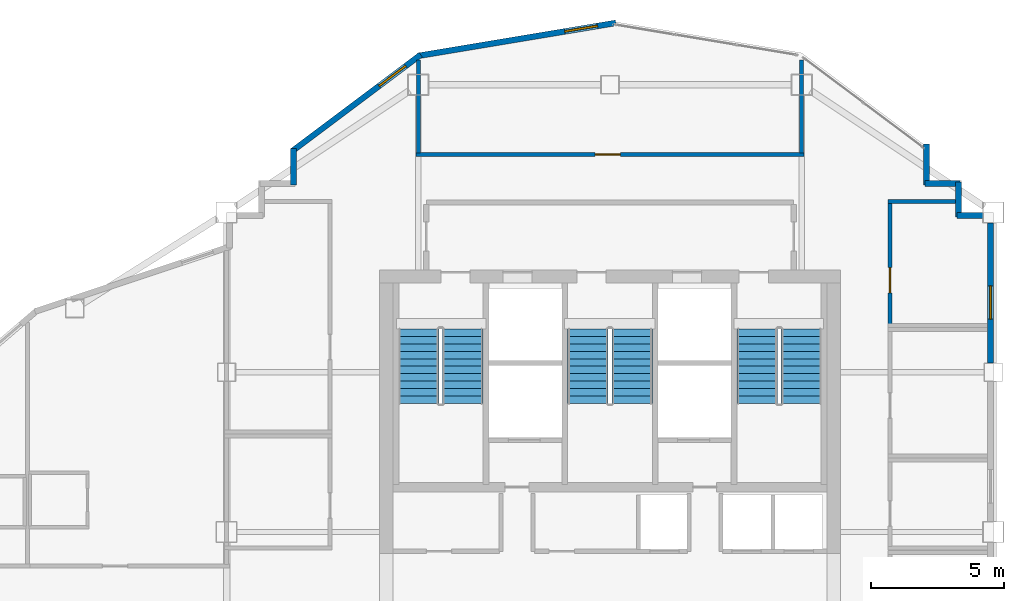
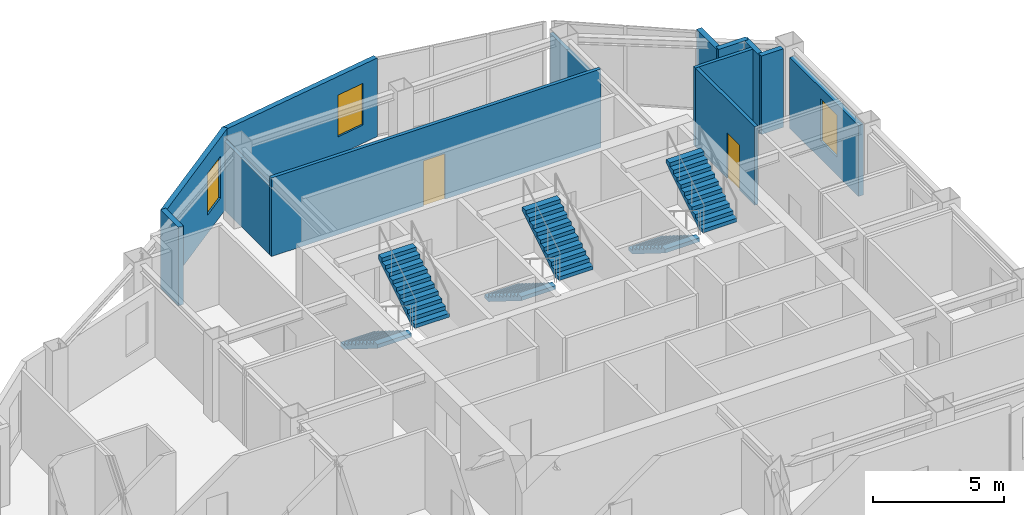
# One storey, part 8 of 9: 13 walls, 6 stair flights, 3 windows, 2 doors, 5 openings, 3 elements without a shape of their own.
"""IFC4 building model written with IfcOpenShell, lengths in metres."""

import ifcopenshell
import ifcopenshell.guid

model = None  # the IFC model being written
_history = None  # IfcOwnerHistory: only IFC2X3 demands one
_inside = {}  # id of a spatial element -> (the spatial element, [elements in it])
_under = {}  # id of a project, library or spatial element -> (it, [spatial elements below it])
_declared = {}  # id of a project -> (the project, [libraries it declares])
_typed = {}  # id of a type object -> (the type object, [elements of that type])
_made_of = {}  # id of a material, layer set ... -> (it, [elements and type objects made of it])


def new_model(schema):
    """Start an empty IFC model of exactly this schema.

    Asked for "IFC4X3", IfcOpenShell would pick the latest addendum, in which some entities
    have other attributes; the version numbers below select the first issue.
    IFC2X3 requires an IfcOwnerHistory on every rooted entity: one is made here for all.
    """
    global model, _history
    if schema == "IFC4X3":
        model = ifcopenshell.file(schema_version=(4, 3, 0, 0))
    else:
        model = ifcopenshell.file(schema=schema)
    _inside.clear()
    _under.clear()
    _declared.clear()
    _typed.clear()
    _made_of.clear()
    _history = None
    if model.schema == "IFC2X3":
        org = make("IfcOrganization", Name="unknown")
        user = make(
            "IfcPersonAndOrganization",
            ThePerson=make("IfcPerson", FamilyName="unknown"),
            TheOrganization=org,
        )
        app = make(
            "IfcApplication",
            ApplicationDeveloper=org,
            Version="unknown",
            ApplicationFullName="unknown",
            ApplicationIdentifier="unknown",
        )
        _history = make(
            "IfcOwnerHistory",
            OwningUser=user,
            OwningApplication=app,
            ChangeAction="ADDED",
            CreationDate=0,
        )
    return model


def make(cls, **values):
    """One entity of the class cls with the attributes given. An attribute that is None is left unset."""
    return model.create_entity(
        cls, **{name: value for name, value in values.items() if value is not None}
    )


def rooted(cls, **values):
    """An entity with a GlobalId (a new one), such as an element, a storey or a relation."""
    return make(cls, GlobalId=ifcopenshell.guid.new(), OwnerHistory=_history, **values)


def si_unit(unit_type, name, prefix=None):
    """IfcSIUnit, for example si_unit("LENGTHUNIT", "METRE", prefix="MILLI")."""
    return make("IfcSIUnit", UnitType=unit_type, Prefix=prefix, Name=name)


def assignment(units):
    """IfcUnitAssignment: the units of a project."""
    return None if units is None else make("IfcUnitAssignment", Units=units)


def point(xyz):
    """IfcCartesianPoint."""
    return None if xyz is None else make("IfcCartesianPoint", Coordinates=xyz)


def direction(xyz):
    """IfcDirection."""
    return None if xyz is None else make("IfcDirection", DirectionRatios=xyz)


def frame(location, z_axis=None, x_axis=None):
    """IfcAxis2Placement3D, a coordinate frame: its origin and axes. An axis left out is left unset."""
    return make(
        "IfcAxis2Placement3D",
        Location=point(location),
        Axis=direction(z_axis),
        RefDirection=direction(x_axis),
    )


def frame_2d(location, x_axis=None):
    """IfcAxis2Placement2D, a coordinate frame in the plane: its origin and x axis."""
    return make(
        "IfcAxis2Placement2D", Location=point(location), RefDirection=direction(x_axis)
    )


def origin():
    """The frame at (0, 0, 0) with its axes left unset."""
    return frame((0.0, 0.0, 0.0))


def place(relative_to, where):
    """IfcLocalPlacement: puts the frame where relative to a parent placement (None: the world)."""
    return make(
        "IfcLocalPlacement", PlacementRelTo=relative_to, RelativePlacement=where
    )


def context(
    kind, dimensions, precision=None, world=None, true_north=None, identifier=None
):
    """IfcGeometricRepresentationContext, for example the 3D "Model" context."""
    return make(
        "IfcGeometricRepresentationContext",
        ContextIdentifier=identifier,
        ContextType=kind,
        CoordinateSpaceDimension=dimensions,
        Precision=precision,
        WorldCoordinateSystem=world,
        TrueNorth=true_north,
    )


def subcontext(parent, identifier, kind, view, scale=None):
    """IfcGeometricRepresentationSubContext, for example "Body" below "Model"."""
    return make(
        "IfcGeometricRepresentationSubContext",
        ContextIdentifier=identifier,
        ContextType=kind,
        ParentContext=parent,
        TargetScale=scale,
        TargetView=view,
    )


def project(units=None, contexts=None):
    """IfcProject with its units and contexts."""
    return rooted(
        "IfcProject",
        Name="project",
        RepresentationContexts=contexts,
        UnitsInContext=assignment(units),
    )


def spatial(cls, under=None, at=None, **own):
    """A site, building, storey or space (cls), placed at a placement, below another one or the project."""
    s = rooted(cls, ObjectPlacement=at, **own)
    if under is not None:
        _under.setdefault(under.id(), (under, []))[1].append(s)
    return s


def polyline(points):
    """IfcPolyline through the points."""
    return make("IfcPolyline", Points=[point(p) for p in points])


def profile(cls, at=None, kind="AREA", **sizes):
    """A parametric profile (cls). Its sizes go by their IFC names, for example OverallWidth=200.0."""
    return make(cls, ProfileType=kind, Position=at, **sizes)


def rectangle(**sizes):
    """IfcRectangleProfileDef."""
    return profile("IfcRectangleProfileDef", **sizes)


def outline(outer, holes=None, kind="AREA"):
    """IfcArbitraryClosedProfileDef: a profile drawn as a closed curve; with holes, ...WithVoids."""
    if holes is None:
        return make("IfcArbitraryClosedProfileDef", ProfileType=kind, OuterCurve=outer)
    return make(
        "IfcArbitraryProfileDefWithVoids",
        ProfileType=kind,
        OuterCurve=outer,
        InnerCurves=holes,
    )


def extrude(swept, where, along, depth):
    """IfcExtrudedAreaSolid: the profile swept, set in the frame where, extruded along a direction by depth."""
    return make(
        "IfcExtrudedAreaSolid",
        SweptArea=swept,
        Position=where,
        ExtrudedDirection=direction(along),
        Depth=depth,
    )


def shape(context_of_items, identifier, shape_type, items):
    """IfcShapeRepresentation: the items that make up one representation, for example the "Body"."""
    return make(
        "IfcShapeRepresentation",
        ContextOfItems=context_of_items,
        RepresentationIdentifier=identifier,
        RepresentationType=shape_type,
        Items=items,
    )


def material(Name=None, Category=None):
    """IfcMaterial."""
    return make("IfcMaterial", Name=Name, Category=Category)


def layer(
    of_material, thickness, ventilated=None, Name=None, Category=None, Priority=None
):
    """IfcMaterialLayer: one layer of a wall or slab, of a material (None: an air gap)."""
    return make(
        "IfcMaterialLayer",
        Material=of_material,
        LayerThickness=thickness,
        IsVentilated=ventilated,
        Name=Name,
        Category=Category,
        Priority=Priority,
    )


def layer_set(layers, Name=None):
    """IfcMaterialLayerSet."""
    return make("IfcMaterialLayerSet", MaterialLayers=layers, LayerSetName=Name)


def made_of(thing, what):
    """Note that an element or type object is made of a material, layer set ...; save() writes the relation."""
    if what is not None:
        _made_of.setdefault(what.id(), (what, []))[1].append(thing)
    return thing


def type_object(cls, material=None, **own):
    """A type object (cls), such as IfcWallType, which elements share."""
    return made_of(rooted(cls, **own), material)


def element(
    cls,
    number,
    at=None,
    inside=None,
    cuts=None,
    type_object=None,
    material=None,
    context=None,
    identifier="Body",
    shape_type=None,
    held_by="IfcProductDefinitionShape",
    body=None,
    shapes=None,
    **own,
):
    """One element of the class cls, such as IfcWall. Its Tag is "e" and its number.

    at: its placement. inside: the storey or other place that contains it. cuts: it is an
    opening in that element (IfcRelVoidsElement). A single representation is given by context,
    identifier, shape_type and body (its items); several are given by shapes. held_by: the class
    of the entity that holds the representations. save() writes the other relations.
    """
    e = rooted(cls, Tag="e%d" % number, ObjectPlacement=at, **own)
    if body is not None:
        shapes = [shape(context, identifier, shape_type, body)]
    if shapes is not None:
        e.Representation = make(held_by, Representations=shapes)
    if inside is not None:
        _inside.setdefault(inside.id(), (inside, []))[1].append(e)
    if cuts is not None:
        rooted(
            "IfcRelVoidsElement", RelatingBuildingElement=cuts, RelatedOpeningElement=e
        )
    if type_object is not None:
        _typed.setdefault(type_object.id(), (type_object, []))[1].append(e)
    return made_of(e, material)


def fill(opening, filler):
    """IfcRelFillsElement: the door or window that sits in an opening."""
    return rooted(
        "IfcRelFillsElement",
        RelatingOpeningElement=opening,
        RelatedBuildingElement=filler,
    )


def aggregate(whole, parts):
    """IfcRelAggregates: a whole, such as a stair, and the parts it consists of."""
    return rooted("IfcRelAggregates", RelatingObject=whole, RelatedObjects=parts)


def save(model, path):
    """Write the relations noted so far, then the file.

    IfcRelAggregates (storeys below a building ...), IfcRelContainedInSpatialStructure (elements
    in a storey), IfcRelDefinesByType, IfcRelAssociatesMaterial and IfcRelDeclares: one each for
    every whole, place, type object, material and project.
    """
    for whole, parts in _under.values():
        aggregate(whole, parts)
    for where, things in _inside.values():
        rooted(
            "IfcRelContainedInSpatialStructure",
            RelatedElements=things,
            RelatingStructure=where,
        )
    for kind, things in _typed.values():
        rooted("IfcRelDefinesByType", RelatedObjects=things, RelatingType=kind)
    for what, things in _made_of.values():
        rooted("IfcRelAssociatesMaterial", RelatedObjects=things, RelatingMaterial=what)
    for by, libraries in _declared.values():
        rooted("IfcRelDeclares", RelatingContext=by, RelatedDefinitions=libraries)
    model.write(path)


model = new_model("IFC4")

# Units and contexts
model_context = context("Model", 3, precision=1e-05, world=origin(), true_north=direction((0.0, 1.0)))
body_context = subcontext(model_context, "Body", "Model", "MODEL_VIEW")
ifc_project = project(units=[si_unit("LENGTHUNIT", "METRE"), si_unit("AREAUNIT", "SQUARE_METRE"), si_unit("VOLUMEUNIT", "CUBIC_METRE"), si_unit("PLANEANGLEUNIT", "RADIAN"), si_unit("MASSUNIT", "GRAM", prefix="KILO")], contexts=[model_context])

# Site, building, storey
site_placement = place(None, origin())
site = spatial("IfcSite", under=ifc_project, at=site_placement, CompositionType="ELEMENT")
building_placement = place(site_placement, origin())
building = spatial("IfcBuilding", under=site, at=building_placement, Name="Haolan Belvedere Tower", CompositionType="ELEMENT")
storey_placement = place(building_placement, frame((0.0, 0.0, 262.14990234375)))
storey = spatial("IfcBuildingStorey", under=building, at=storey_placement, Name="L66", CompositionType="ELEMENT", Elevation=262.14990234375)

# Wall, opening, window
ifc_material_1 = material(Name="Precast concrete C40/50", Category="concrete")
ifc_layer_1 = layer(ifc_material_1, 0.219970703125, Name="Precast concrete C40/50")
ifc_layer_set_1 = layer_set([ifc_layer_1], Name="Precast concrete C40/50")
wall_type_1 = type_object("IfcWallType", Name="WL-EXT-220", PredefinedType="SOLIDWALL", material=ifc_layer_set_1)
wall_1_placement = place(storey_placement, frame((52.68994140625, 39.94189453125, 0.0), z_axis=(0.0, 0.0, 1.0), x_axis=(0.0, 1.0, 0.0)))
wall_1 = element("IfcWall", 1, at=wall_1_placement, inside=storey, type_object=wall_type_1, Name="L66 pale-metal exterior spandrel wall 3.4", PredefinedType="SOLIDWALL", context=body_context, shape_type="SweptSolid", body=[
    extrude(rectangle(XDim=5.26611328125, YDim=0.219970703125, at=frame_2d((2.633056640625, 0.0))), origin(), (0.0, 0.0, 1.0), 3.315185546875),
])
opening_1_placement = place(wall_1_placement, frame((1.653076171875, 0.0, 0.85009765625)))
opening_1 = element("IfcOpeningElement", 2, at=opening_1_placement, cuts=wall_1, Name="Opening W-04", PredefinedType="OPENING", context=body_context, shape_type="SweptSolid", body=[
    extrude(rectangle(XDim=1.25, YDim=1.949951171875, at=frame_2d((0.625, 0.97509765625))), frame((0.0, 0.119873046875, 0.0), z_axis=(0.0, -1.0, 0.0), x_axis=(1.0, 0.0, 0.0)), (0.0, 0.0, 1.0), 0.239990234375),
])
ifc_material_2 = material(Name="Anodised aluminium 6063-T6 and Low-E glass", Category="aluminium")
window_type = type_object("IfcWindowType", Name="WN-DECO-Z4", PartitioningType="SINGLE_PANEL", PredefinedType="WINDOW", material=ifc_material_2)
window_1_placement = place(opening_1_placement, origin())
window_1 = element("IfcWindow", 3, at=window_1_placement, inside=storey, type_object=window_type, Name="L66 Art Deco chevron window 1", OverallHeight=1.949951171875, OverallWidth=1.25, PartitioningType="SINGLE_PANEL", PredefinedType="WINDOW", context=body_context, shape_type="SweptSolid", body=[
    extrude(rectangle(XDim=1.25, YDim=1.949951171875, at=frame_2d((0.625, 0.97509765625))), frame((0.0, 0.030029296875, 0.0), z_axis=(0.0, -1.0, 0.0), x_axis=(1.0, 0.0, 0.0)), (0.0, 0.0, 1.0), 0.06005859375),
])
fill(opening_1, window_1)

# Walls
wall_2_placement = place(storey_placement, frame((52.407958984375, 45.489990234375, 0.0), z_axis=(0.0, 0.0, 1.0), x_axis=(-1.0, 0.0, 0.0)))
element("IfcWall", 4, at=wall_2_placement, inside=storey, type_object=wall_type_1, Name="L66 pale-metal exterior spandrel wall 4.1", PredefinedType="SOLIDWALL", context=body_context, shape_type="SweptSolid", body=[
    extrude(rectangle(XDim=0.972900390625, YDim=0.219970703125, at=frame_2d((0.486328125, 0.0))), origin(), (0.0, 0.0, 1.0), 3.670166015625),
])
wall_3_placement = place(storey_placement, frame((51.489990234375, 45.43505859375, 0.0), z_axis=(0.0, 0.0, 1.0), x_axis=(0.0, 1.0, 0.0)))
element("IfcWall", 5, at=wall_3_placement, inside=storey, type_object=wall_type_1, Name="L66 pale-metal exterior spandrel wall 5.1", PredefinedType="SOLIDWALL", context=body_context, shape_type="SweptSolid", body=[
    extrude(rectangle(XDim=1.31005859375, YDim=0.219970703125, at=frame_2d((0.655029296875, 0.0))), origin(), (0.0, 0.0, 1.0), 3.670166015625),
])
wall_4_placement = place(storey_placement, frame((51.544921875, 46.68994140625, 0.0), z_axis=(0.0, 0.0, 1.0), x_axis=(-1.0, 0.0, 0.0)))
element("IfcWall", 6, at=wall_4_placement, inside=storey, type_object=wall_type_1, Name="L66 pale-metal exterior spandrel wall 6.1", PredefinedType="SOLIDWALL", context=body_context, shape_type="SweptSolid", body=[
    extrude(rectangle(XDim=1.309814453125, YDim=0.219970703125, at=frame_2d((0.65478515625, 0.0))), origin(), (0.0, 0.0, 1.0), 3.670166015625),
])
wall_5_placement = place(storey_placement, frame((50.2900390625, 46.635009765625, 0.0), z_axis=(0.0, 0.0, 1.0), x_axis=(0.0, 1.0, 0.0)))
element("IfcWall", 7, at=wall_5_placement, inside=storey, type_object=wall_type_1, Name="L66 pale-metal exterior spandrel wall 7.1", PredefinedType="SOLIDWALL", context=body_context, shape_type="SweptSolid", body=[
    extrude(rectangle(XDim=1.534912109375, YDim=0.219970703125, at=frame_2d((0.767578125, 0.0))), origin(), (0.0, 0.0, 1.0), 3.670166015625),
])

# Wall, opening, window
wall_6_placement = place(storey_placement, frame((38.621826171875, 52.7255859375, 0.0), z_axis=(0.0, 0.0, 1.0), x_axis=(-0.986390420428, -0.164420006349, 0.0)))
wall_6 = element("IfcWall", 8, at=wall_6_placement, inside=storey, type_object=wall_type_1, Name="L66 pale-metal exterior spandrel wall 10.1", PredefinedType="SOLIDWALL", context=body_context, shape_type="SweptSolid", body=[
    extrude(rectangle(XDim=7.5341796875, YDim=0.219970703125, at=frame_2d((3.76708984375, 0.0))), origin(), (0.0, 0.0, 1.0), 3.670166015625),
])
opening_2_placement = place(wall_6_placement, frame((0.699951171875, 0.0, 0.85009765625)))
opening_2 = element("IfcOpeningElement", 9, at=opening_2_placement, cuts=wall_6, Name="Opening W-04", PredefinedType="OPENING", context=body_context, shape_type="SweptSolid", body=[
    extrude(rectangle(XDim=1.25, YDim=1.949951171875, at=frame_2d((0.625, 0.97509765625))), frame((0.0, 0.119873046875, 0.0), z_axis=(0.0, -1.0, 0.0), x_axis=(1.0, 0.0, 0.0)), (0.0, 0.0, 1.0), 0.239990234375),
])
window_2_placement = place(opening_2_placement, origin())
window_2 = element("IfcWindow", 10, at=window_2_placement, inside=storey, type_object=window_type, Name="L66 Art Deco chevron window 1", OverallHeight=1.949951171875, OverallWidth=1.25, PartitioningType="SINGLE_PANEL", PredefinedType="WINDOW", context=body_context, shape_type="SweptSolid", body=[
    extrude(rectangle(XDim=1.25, YDim=1.949951171875, at=frame_2d((0.625, 0.97509765625))), frame((0.0, 0.030029296875, 0.0), z_axis=(0.0, -1.0, 0.0), x_axis=(1.0, 0.0, 0.0)), (0.0, 0.0, 1.0), 0.06005859375),
])
fill(opening_2, window_2)

wall_7_placement = place(storey_placement, frame((31.28857421875, 51.52880859375, 0.0), z_axis=(0.0, 0.0, 1.0), x_axis=(-0.800014580093, -0.599980559383, 0.0)))
wall_7 = element("IfcWall", 11, at=wall_7_placement, inside=storey, type_object=wall_type_1, Name="L66 pale-metal exterior spandrel wall 11.1", PredefinedType="SOLIDWALL", context=body_context, shape_type="SweptSolid", body=[
    extrude(rectangle(XDim=6.028076171875, YDim=0.219970703125, at=frame_2d((3.01416015625, 0.0))), origin(), (0.0, 0.0, 1.0), 3.670166015625),
])
opening_3_placement = place(wall_7_placement, frame((0.699951171875, 0.0, 0.85009765625)))
opening_3 = element("IfcOpeningElement", 12, at=opening_3_placement, cuts=wall_7, Name="Opening W-04", PredefinedType="OPENING", context=body_context, shape_type="SweptSolid", body=[
    extrude(rectangle(XDim=1.25, YDim=1.949951171875, at=frame_2d((0.625, 0.97509765625))), frame((0.0, 0.119873046875, 0.0), z_axis=(0.0, -1.0, 0.0), x_axis=(1.0, 0.0, 0.0)), (0.0, 0.0, 1.0), 0.239990234375),
])
window_3_placement = place(opening_3_placement, origin())
window_3 = element("IfcWindow", 13, at=window_3_placement, inside=storey, type_object=window_type, Name="L66 Art Deco chevron window 1", OverallHeight=1.949951171875, OverallWidth=1.25, PartitioningType="SINGLE_PANEL", PredefinedType="WINDOW", context=body_context, shape_type="SweptSolid", body=[
    extrude(rectangle(XDim=1.25, YDim=1.949951171875, at=frame_2d((0.625, 0.97509765625))), frame((0.0, 0.030029296875, 0.0), z_axis=(0.0, -1.0, 0.0), x_axis=(1.0, 0.0, 0.0)), (0.0, 0.0, 1.0), 0.06005859375),
])
fill(opening_3, window_3)

# Walls
wall_8_placement = place(storey_placement, frame((26.510009765625, 48.0, 0.0), z_axis=(0.0, 0.0, 1.0), x_axis=(0.0, -1.0, 0.0)))
element("IfcWall", 14, at=wall_8_placement, inside=storey, type_object=wall_type_1, Name="L66 pale-metal exterior spandrel wall 12.1", PredefinedType="SOLIDWALL", context=body_context, shape_type="SweptSolid", body=[
    extrude(rectangle(XDim=1.364990234375, YDim=0.219970703125, at=frame_2d((0.6826171875, 0.0))), origin(), (0.0, 0.0, 1.0), 3.670166015625),
])
ifc_material_3 = material(Name="Double gypsum acoustic stud partition", Category="masonry")
ifc_layer_2 = layer(ifc_material_3, 0.14990234375, Name="Double gypsum acoustic stud partition")
ifc_layer_set_2 = layer_set([ifc_layer_2], Name="Double gypsum acoustic stud partition")
wall_type_2 = type_object("IfcWallType", Name="WL-PART-150", PredefinedType="PARTITIONING", material=ifc_layer_set_2)
wall_9_placement = place(storey_placement, frame((48.840087890625, 46.02001953125, 0.0), z_axis=(0.0, 0.0, 1.0), x_axis=(1.0, 0.0, 0.0)))
element("IfcWall", 15, at=wall_9_placement, inside=storey, type_object=wall_type_2, Name="L66 interior partition IW-L66-PNT-N", PredefinedType="PARTITIONING", context=body_context, shape_type="SweptSolid", body=[
    extrude(rectangle(XDim=2.5478515625, YDim=0.14990234375, at=frame_2d((1.27392578125, 0.0))), origin(), (0.0, 0.0, 1.0), 3.670166015625),
])

# Wall, opening, door
wall_10_placement = place(storey_placement, frame((48.919921875, 41.419921875, 0.0), z_axis=(0.0, 0.0, 1.0), x_axis=(0.0, 1.0, 0.0)))
wall_10 = element("IfcWall", 16, at=wall_10_placement, inside=storey, type_object=wall_type_2, Name="L66 interior partition IW-L66-PNT-W", PredefinedType="PARTITIONING", context=body_context, shape_type="SweptSolid", body=[
    extrude(rectangle(XDim=4.5400390625, YDim=0.14990234375, at=frame_2d((2.27001953125, 0.0))), origin(), (0.0, 0.0, 1.0), 3.670166015625),
])
opening_4_placement = place(wall_10_placement, frame((1.159912109375, 0.0, 0.0)))
opening_4 = element("IfcOpeningElement", 17, at=opening_4_placement, cuts=wall_10, Name="Opening ID-03", PredefinedType="OPENING", context=body_context, shape_type="SweptSolid", body=[
    extrude(rectangle(XDim=0.949951171875, YDim=2.1201171875, at=frame_2d((0.47509765625, 1.06005859375))), frame((0.0, 0.0849609375, 0.0), z_axis=(0.0, -1.0, 0.0), x_axis=(1.0, 0.0, 0.0)), (0.0, 0.0, 1.0), 0.169921875),
])
ifc_material_4 = material(Name="Painted solid-core timber", Category="wood")
door_type = type_object("IfcDoorType", Name="DR-INT-950", OperationType="NOTDEFINED", PredefinedType="DOOR", material=ifc_material_4)
door_1_placement = place(opening_4_placement, origin())
door_1 = element("IfcDoor", 18, at=door_1_placement, inside=storey, type_object=door_type, Name="L66 door ID-L66-PNT", OperationType="SINGLE_SWING_LEFT", OverallHeight=2.1201171875, OverallWidth=0.949951171875, PredefinedType="DOOR", context=body_context, shape_type="SweptSolid", body=[
    extrude(rectangle(XDim=0.949951171875, YDim=2.1201171875, at=frame_2d((0.47509765625, 1.06005859375))), frame((0.0, 0.02490234375, 0.0), z_axis=(0.0, -1.0, 0.0), x_axis=(1.0, 0.0, 0.0)), (0.0, 0.0, 1.0), 0.050048828125),
])
fill(opening_4, door_1)

wall_11_placement = place(storey_placement, frame((31.1201171875, 47.780029296875, 0.0), z_axis=(0.0, 0.0, 1.0), x_axis=(1.0, 0.0, 0.0)))
wall_11 = element("IfcWall", 19, at=wall_11_placement, inside=storey, type_object=wall_type_2, Name="L66 interior partition IW-L66-KN2-S", PredefinedType="PARTITIONING", context=body_context, shape_type="SweptSolid", body=[
    extrude(rectangle(XDim=14.559814453125, YDim=0.14990234375, at=frame_2d((7.27978515625, 0.0))), origin(), (0.0, 0.0, 1.0), 3.670166015625),
])
opening_5_placement = place(wall_11_placement, frame((6.72509765625, 0.0, 0.0)))
opening_5 = element("IfcOpeningElement", 20, at=opening_5_placement, cuts=wall_11, Name="Opening ID-03", PredefinedType="OPENING", context=body_context, shape_type="SweptSolid", body=[
    extrude(rectangle(XDim=0.949951171875, YDim=2.1201171875, at=frame_2d((0.47509765625, 1.06005859375))), frame((0.0, 0.0849609375, 0.0), z_axis=(0.0, -1.0, 0.0), x_axis=(1.0, 0.0, 0.0)), (0.0, 0.0, 1.0), 0.169921875),
])
door_2_placement = place(opening_5_placement, origin())
door_2 = element("IfcDoor", 21, at=door_2_placement, inside=storey, type_object=door_type, Name="L66 door ID-L66-KN2", OperationType="SINGLE_SWING_RIGHT", OverallHeight=2.1201171875, OverallWidth=0.949951171875, PredefinedType="DOOR", context=body_context, shape_type="SweptSolid", body=[
    extrude(rectangle(XDim=0.949951171875, YDim=2.1201171875, at=frame_2d((0.47509765625, 1.06005859375))), frame((0.0, 0.02490234375, 0.0), z_axis=(0.0, -1.0, 0.0), x_axis=(1.0, 0.0, 0.0)), (0.0, 0.0, 1.0), 0.050048828125),
])
fill(opening_5, door_2)

# Walls
for number, where, z_axis, x_axis, name in (
    (22, (31.199951171875, 47.840087890625, 0.0), (0.0, 0.0, 1.0), (0.0, 1.0, 0.0), "L66 interior partition IW-L66-KN2-W"),
    (23, (45.60009765625, 47.840087890625, 0.0), (0.0, 0.0, 1.0), (0.0, 1.0, 0.0), "L66 interior partition IW-L66-KN2-E"),
):
    element("IfcWall", number, at=place(storey_placement, frame(where, z_axis=z_axis, x_axis=x_axis)), inside=storey, type_object=wall_type_2, Name=name, PredefinedType="PARTITIONING", context=body_context, shape_type="SweptSolid", body=[
        extrude(rectangle(XDim=3.494873046875, YDim=0.14990234375, at=frame_2d((1.74755859375, 0.0))), origin(), (0.0, 0.0, 1.0), 3.205078125),
    ])

# Stair, stair flights
ifc_material_5 = material(Name="Concrete C40/50", Category="concrete")
stair_type = type_object("IfcStairType", Name="STR-DL-22R-175", PredefinedType="HALF_TURN_STAIR", material=ifc_material_5)
stair_1_placement = place(storey_placement, origin())
stair_1 = element("IfcStair", 24, at=stair_1_placement, inside=storey, type_object=stair_type, Name="L66 Smokeproof Core Exit Stair ST1", PredefinedType="HALF_TURN_STAIR")
stair_flight_type = type_object("IfcStairFlightType", Name="SFL-DL-11R-175", PredefinedType="STRAIGHT", material=ifc_material_5)
stair_flight_1_placement = place(storey_placement, frame((31.2099609375, 41.22998046875, 0.0), z_axis=(0.0, 0.0, 1.0), x_axis=(0.0, -1.0, 0.0)))
stair_flight_1 = element("IfcStairFlight", 25, at=stair_flight_1_placement, type_object=stair_flight_type, Name="ST1 flight 1", NumberOfRisers=11, NumberOfTreads=10, PredefinedType="STRAIGHT", RiserHeight=0.175, TreadLength=0.28, context=body_context, shape_type="SweptSolid", body=[
    extrude(outline(polyline([(0.0, 0.0), (0.0, 0.175048828125), (0.280029296875, 0.175048828125), (0.280029296875, 0.35009765625), (0.56005859375, 0.35009765625), (0.56005859375, 0.52490234375), (0.840087890625, 0.52490234375), (0.840087890625, 0.699951171875), (1.1201171875, 0.699951171875), (1.1201171875, 0.875), (1.39990234375, 0.875), (1.39990234375, 1.050048828125), (1.679931640625, 1.050048828125), (1.679931640625, 1.22509765625), (1.9599609375, 1.22509765625), (1.9599609375, 1.39990234375), (2.239990234375, 1.39990234375), (2.239990234375, 1.574951171875), (2.52001953125, 1.574951171875), (2.52001953125, 1.75), (2.800048828125, 1.75), (2.800048828125, 1.925048828125), (2.800048828125, 1.5732421875), (0.28271484375, 0.0), (0.0, 0.0)])), frame((0.0, 0.760009765625, 0.0), z_axis=(0.0, -1.0, 0.0), x_axis=(1.0, 0.0, 0.0)), (0.0, 0.0, 1.0), 1.52001953125),
])
stair_flight_2_placement = place(storey_placement, frame((32.8701171875, 38.429931640625, 1.925048828125), z_axis=(0.0, 0.0, 1.0), x_axis=(0.0, 1.0, 0.0)))
stair_flight_2 = element("IfcStairFlight", 26, at=stair_flight_2_placement, type_object=stair_flight_type, Name="ST1 flight 2", NumberOfRisers=11, NumberOfTreads=10, PredefinedType="STRAIGHT", RiserHeight=0.175, TreadLength=0.28, context=body_context, shape_type="SweptSolid", body=[
    extrude(outline(polyline([(0.0, 0.0), (0.0, 0.175048828125), (0.280029296875, 0.175048828125), (0.280029296875, 0.35009765625), (0.56005859375, 0.35009765625), (0.56005859375, 0.52490234375), (0.840087890625, 0.52490234375), (0.840087890625, 0.699951171875), (1.1201171875, 0.699951171875), (1.1201171875, 0.875), (1.39990234375, 0.875), (1.39990234375, 1.050048828125), (1.679931640625, 1.050048828125), (1.679931640625, 1.22509765625), (1.9599609375, 1.22509765625), (1.9599609375, 1.39990234375), (2.239990234375, 1.39990234375), (2.239990234375, 1.574951171875), (2.52001953125, 1.574951171875), (2.52001953125, 1.75), (2.800048828125, 1.75), (2.800048828125, 1.925048828125), (2.800048828125, 1.5732421875), (0.28271484375, 0.0), (0.0, 0.0)])), frame((0.0, 0.760009765625, 0.0), z_axis=(0.0, -1.0, 0.0), x_axis=(1.0, 0.0, 0.0)), (0.0, 0.0, 1.0), 1.52001953125),
])
aggregate(stair_1, [stair_flight_1, stair_flight_2])

stair_2_placement = place(storey_placement, origin())
stair_2 = element("IfcStair", 27, at=stair_2_placement, inside=storey, type_object=stair_type, Name="L66 Smokeproof Core Exit Stair ST3", PredefinedType="HALF_TURN_STAIR")
stair_flight_3_placement = place(storey_placement, frame((37.570068359375, 41.22998046875, 0.0), z_axis=(0.0, 0.0, 1.0), x_axis=(0.0, -1.0, 0.0)))
stair_flight_3 = element("IfcStairFlight", 28, at=stair_flight_3_placement, type_object=stair_flight_type, Name="ST3 flight 1", NumberOfRisers=11, NumberOfTreads=10, PredefinedType="STRAIGHT", RiserHeight=0.175, TreadLength=0.28, context=body_context, shape_type="SweptSolid", body=[
    extrude(outline(polyline([(0.0, 0.0), (0.0, 0.175048828125), (0.280029296875, 0.175048828125), (0.280029296875, 0.35009765625), (0.56005859375, 0.35009765625), (0.56005859375, 0.52490234375), (0.840087890625, 0.52490234375), (0.840087890625, 0.699951171875), (1.1201171875, 0.699951171875), (1.1201171875, 0.875), (1.39990234375, 0.875), (1.39990234375, 1.050048828125), (1.679931640625, 1.050048828125), (1.679931640625, 1.22509765625), (1.9599609375, 1.22509765625), (1.9599609375, 1.39990234375), (2.239990234375, 1.39990234375), (2.239990234375, 1.574951171875), (2.52001953125, 1.574951171875), (2.52001953125, 1.75), (2.800048828125, 1.75), (2.800048828125, 1.925048828125), (2.800048828125, 1.5732421875), (0.28271484375, 0.0), (0.0, 0.0)])), frame((0.0, 0.760009765625, 0.0), z_axis=(0.0, -1.0, 0.0), x_axis=(1.0, 0.0, 0.0)), (0.0, 0.0, 1.0), 1.52001953125),
])
stair_flight_4_placement = place(storey_placement, frame((39.22998046875, 38.429931640625, 1.925048828125), z_axis=(0.0, 0.0, 1.0), x_axis=(0.0, 1.0, 0.0)))
stair_flight_4 = element("IfcStairFlight", 29, at=stair_flight_4_placement, type_object=stair_flight_type, Name="ST3 flight 2", NumberOfRisers=11, NumberOfTreads=10, PredefinedType="STRAIGHT", RiserHeight=0.175, TreadLength=0.28, context=body_context, shape_type="SweptSolid", body=[
    extrude(outline(polyline([(0.0, 0.0), (0.0, 0.175048828125), (0.280029296875, 0.175048828125), (0.280029296875, 0.35009765625), (0.56005859375, 0.35009765625), (0.56005859375, 0.52490234375), (0.840087890625, 0.52490234375), (0.840087890625, 0.699951171875), (1.1201171875, 0.699951171875), (1.1201171875, 0.875), (1.39990234375, 0.875), (1.39990234375, 1.050048828125), (1.679931640625, 1.050048828125), (1.679931640625, 1.22509765625), (1.9599609375, 1.22509765625), (1.9599609375, 1.39990234375), (2.239990234375, 1.39990234375), (2.239990234375, 1.574951171875), (2.52001953125, 1.574951171875), (2.52001953125, 1.75), (2.800048828125, 1.75), (2.800048828125, 1.925048828125), (2.800048828125, 1.5732421875), (0.28271484375, 0.0), (0.0, 0.0)])), frame((0.0, 0.760009765625, 0.0), z_axis=(0.0, -1.0, 0.0), x_axis=(1.0, 0.0, 0.0)), (0.0, 0.0, 1.0), 1.52001953125),
])
aggregate(stair_2, [stair_flight_3, stair_flight_4])

stair_3_placement = place(storey_placement, origin())
stair_3 = element("IfcStair", 30, at=stair_3_placement, inside=storey, type_object=stair_type, Name="L66 Smokeproof Core Exit Stair ST2", PredefinedType="HALF_TURN_STAIR")
stair_flight_5_placement = place(storey_placement, frame((43.929931640625, 41.22998046875, 0.0), z_axis=(0.0, 0.0, 1.0), x_axis=(0.0, -1.0, 0.0)))
stair_flight_5 = element("IfcStairFlight", 31, at=stair_flight_5_placement, type_object=stair_flight_type, Name="ST2 flight 1", NumberOfRisers=11, NumberOfTreads=10, PredefinedType="STRAIGHT", RiserHeight=0.175, TreadLength=0.28, context=body_context, shape_type="SweptSolid", body=[
    extrude(outline(polyline([(0.0, 0.0), (0.0, 0.175048828125), (0.280029296875, 0.175048828125), (0.280029296875, 0.35009765625), (0.56005859375, 0.35009765625), (0.56005859375, 0.52490234375), (0.840087890625, 0.52490234375), (0.840087890625, 0.699951171875), (1.1201171875, 0.699951171875), (1.1201171875, 0.875), (1.39990234375, 0.875), (1.39990234375, 1.050048828125), (1.679931640625, 1.050048828125), (1.679931640625, 1.22509765625), (1.9599609375, 1.22509765625), (1.9599609375, 1.39990234375), (2.239990234375, 1.39990234375), (2.239990234375, 1.574951171875), (2.52001953125, 1.574951171875), (2.52001953125, 1.75), (2.800048828125, 1.75), (2.800048828125, 1.925048828125), (2.800048828125, 1.5732421875), (0.28271484375, 0.0), (0.0, 0.0)])), frame((0.0, 0.760009765625, 0.0), z_axis=(0.0, -1.0, 0.0), x_axis=(1.0, 0.0, 0.0)), (0.0, 0.0, 1.0), 1.52001953125),
])
stair_flight_6_placement = place(storey_placement, frame((45.590087890625, 38.429931640625, 1.925048828125), z_axis=(0.0, 0.0, 1.0), x_axis=(0.0, 1.0, 0.0)))
stair_flight_6 = element("IfcStairFlight", 32, at=stair_flight_6_placement, type_object=stair_flight_type, Name="ST2 flight 2", NumberOfRisers=11, NumberOfTreads=10, PredefinedType="STRAIGHT", RiserHeight=0.175, TreadLength=0.28, context=body_context, shape_type="SweptSolid", body=[
    extrude(outline(polyline([(0.0, 0.0), (0.0, 0.175048828125), (0.280029296875, 0.175048828125), (0.280029296875, 0.35009765625), (0.56005859375, 0.35009765625), (0.56005859375, 0.52490234375), (0.840087890625, 0.52490234375), (0.840087890625, 0.699951171875), (1.1201171875, 0.699951171875), (1.1201171875, 0.875), (1.39990234375, 0.875), (1.39990234375, 1.050048828125), (1.679931640625, 1.050048828125), (1.679931640625, 1.22509765625), (1.9599609375, 1.22509765625), (1.9599609375, 1.39990234375), (2.239990234375, 1.39990234375), (2.239990234375, 1.574951171875), (2.52001953125, 1.574951171875), (2.52001953125, 1.75), (2.800048828125, 1.75), (2.800048828125, 1.925048828125), (2.800048828125, 1.5732421875), (0.28271484375, 0.0), (0.0, 0.0)])), frame((0.0, 0.760009765625, 0.0), z_axis=(0.0, -1.0, 0.0), x_axis=(1.0, 0.0, 0.0)), (0.0, 0.0, 1.0), 1.52001953125),
])
aggregate(stair_3, [stair_flight_5, stair_flight_6])

save(model, "model.ifc")
